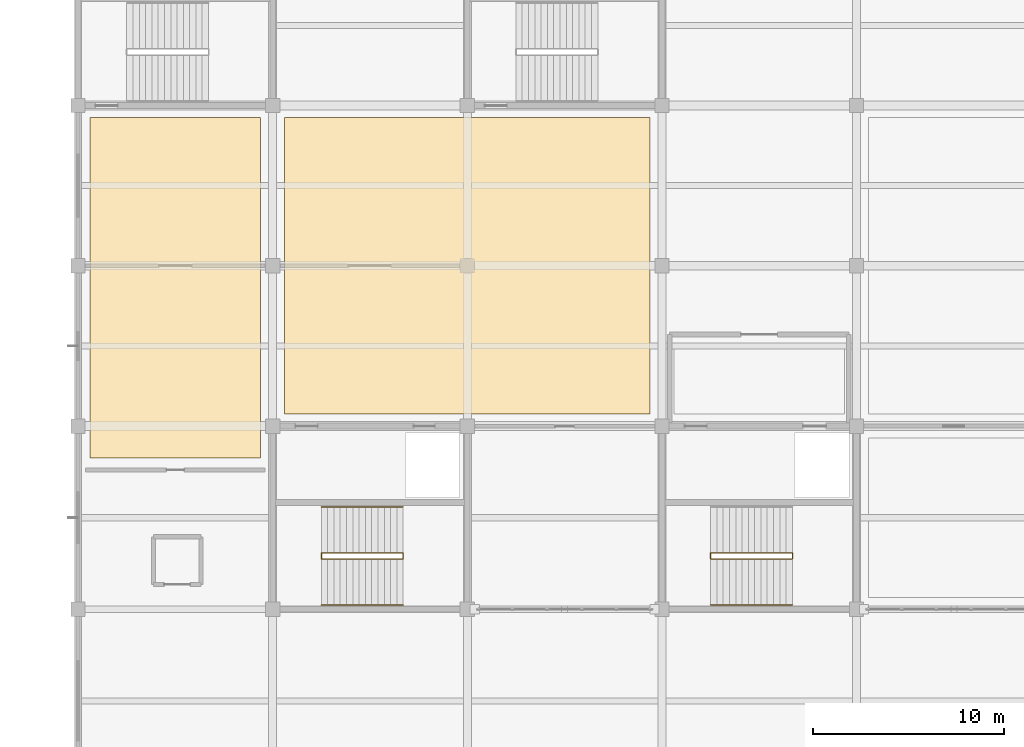
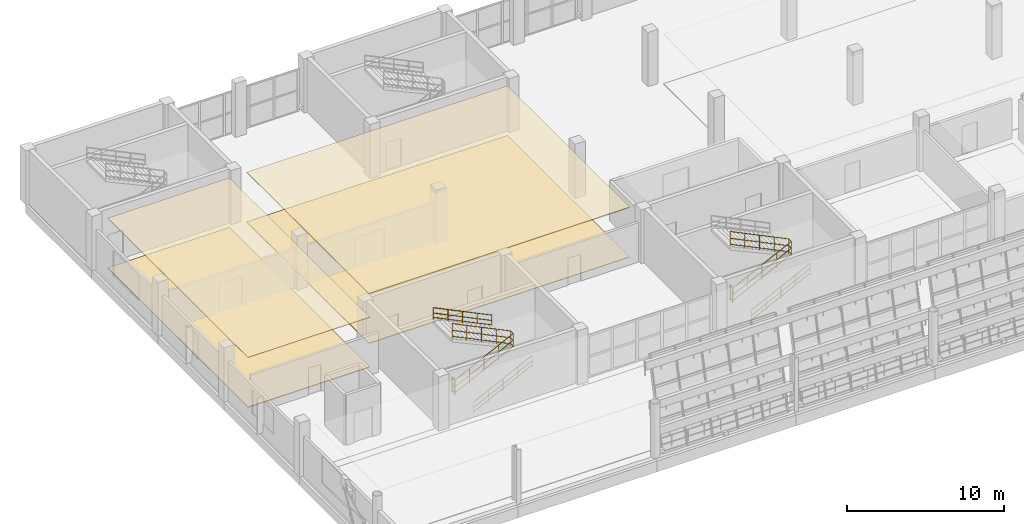
# One storey, part 149 of 157: 7 railings, 4 coverings.
"""IFC4 building model written with IfcOpenShell, lengths in metres."""

from ifc_helpers import new_model, si_unit, direction, frame, origin, origin_2d, place, context, subcontext, project, spatial, polyline, circle, outline, extrude, material, layer, layer_set, type_object, element, save


model = new_model("IFC4")

# Units and contexts
model_context = context("Model", 3, precision=1e-05, world=origin(), true_north=direction((0.0, 1.0)))
body_context = subcontext(model_context, "Body", "Model", "MODEL_VIEW")
ifc_project = project(units=[si_unit("LENGTHUNIT", "METRE"), si_unit("AREAUNIT", "SQUARE_METRE"), si_unit("VOLUMEUNIT", "CUBIC_METRE"), si_unit("PLANEANGLEUNIT", "RADIAN"), si_unit("MASSUNIT", "GRAM", prefix="KILO")], contexts=[model_context])

# Site, building, storey
site_placement = place(None, origin())
site = spatial("IfcSite", under=ifc_project, at=site_placement, CompositionType="ELEMENT")
building_placement = place(site_placement, origin())
building = spatial("IfcBuilding", under=site, at=building_placement, Name="Brelvane Convention Centre", CompositionType="ELEMENT")
storey_placement = place(building_placement, frame((0.0, 0.0, 10.800048828125)))
storey = spatial("IfcBuildingStorey", under=building, at=storey_placement, Name="L02", CompositionType="ELEMENT", Elevation=10.800048828125)

# Coverings
ifc_material_1 = material(Name="Perforated Anodised Aluminium Alloy 6063 Acoustic Baffle", Category="aluminium")
ifc_layer_1 = layer(ifc_material_1, 0.06005859375)
ifc_layer_set_1 = layer_set([ifc_layer_1], Name="Perforated Anodised Aluminium Alloy 6063 Acoustic Baffle")
covering_type_1 = type_object("IfcCoveringType", Name="Interior Finish CL-BAF-60", PredefinedType="CEILING", material=ifc_layer_set_1)
covering_1_placement = place(storey_placement, frame((0.0, 0.0, 3.844970703125)))
element("IfcCovering", 1, at=covering_1_placement, inside=storey, type_object=covering_type_1, Name="Meeting Room 302 Acoustic Ceiling (CL-BAF-60)", PredefinedType="CEILING", context=body_context, shape_type="SweptSolid", body=[
    extrude(outline(polyline([(10.830078125, 119.429931640625), (29.969970703125, 119.429931640625), (29.969970703125, 134.969970703125), (10.830078125, 134.969970703125), (10.830078125, 119.429931640625)])), origin(), (0.0, 0.0, 1.0), 0.06005859375),
])
ifc_material_2 = material(Name="Moisture-Resistant Acoustic Gypsum Ceiling Tile Grade A")
ifc_layer_2 = layer(ifc_material_2, 0.0419921875)
ifc_layer_set_2 = layer_set([ifc_layer_2], Name="Moisture-Resistant Acoustic Gypsum Ceiling Tile Grade A")
covering_type_2 = type_object("IfcCoveringType", Name="Interior Finish CL-GYP-42", PredefinedType="CEILING", material=ifc_layer_set_2)
covering_2_placement = place(storey_placement, frame((0.0, 0.0, 3.863037109375)))
element("IfcCovering", 2, at=covering_2_placement, inside=storey, type_object=covering_type_2, Name="Seminar Room 301 Acoustic Ceiling (CL-GYP-42)", PredefinedType="CEILING", context=body_context, shape_type="SweptSolid", body=[
    extrude(outline(polyline([(0.6298828125, 117.1298828125), (9.570068359375, 117.1298828125), (9.570068359375, 134.969970703125), (0.6298828125, 134.969970703125), (0.6298828125, 117.1298828125)])), origin(), (0.0, 0.0, 1.0), 0.0419921875),
])
ifc_material_3 = material(Name="Polished Basalt-Aggregate Terrazzo Screed Concrete M30", Category="masonry")
ifc_layer_3 = layer(ifc_material_3, 0.054931640625)
ifc_layer_set_3 = layer_set([ifc_layer_3], Name="Polished Basalt-Aggregate Terrazzo Screed Concrete M30")
covering_type_3 = type_object("IfcCoveringType", Name="Interior Finish FL-STN-55", PredefinedType="FLOORING", material=ifc_layer_set_3)
covering_3_placement = place(storey_placement, origin())
element("IfcCovering", 3, at=covering_3_placement, inside=storey, type_object=covering_type_3, Name="Seminar Room 301 Floor Finish (FL-STN-55)", PredefinedType="FLOORING", context=body_context, shape_type="SweptSolid", body=[
    extrude(outline(polyline([(0.6298828125, 117.1298828125), (9.570068359375, 117.1298828125), (9.570068359375, 134.969970703125), (0.6298828125, 134.969970703125), (0.6298828125, 117.1298828125)])), origin(), (0.0, 0.0, 1.0), 0.054931640625),
])
ifc_material_4 = material(Name="Polished Basalt-Aggregate Terrazzo Screed Concrete M30", Category="masonry")
ifc_layer_4 = layer(ifc_material_4, 0.0400390625)
ifc_layer_set_4 = layer_set([ifc_layer_4], Name="Polished Basalt-Aggregate Terrazzo Screed Concrete M30")
covering_type_4 = type_object("IfcCoveringType", Name="Interior Finish FL-TER-40", PredefinedType="FLOORING", material=ifc_layer_set_4)
covering_4_placement = place(storey_placement, origin())
element("IfcCovering", 4, at=covering_4_placement, inside=storey, type_object=covering_type_4, Name="Meeting Room 302 Floor Finish (FL-TER-40)", PredefinedType="FLOORING", context=body_context, shape_type="SweptSolid", body=[
    extrude(outline(polyline([(10.830078125, 119.429931640625), (29.969970703125, 119.429931640625), (29.969970703125, 134.969970703125), (10.830078125, 134.969970703125), (10.830078125, 119.429931640625)])), origin(), (0.0, 0.0, 1.0), 0.0400390625),
])

# Railings
ifc_material_5 = material(Name="Steel E350 (350 MPa)", Category="steel")
railing_type_1 = type_object("IfcRailingType", Name="Stair Railing GR-ST-1", PredefinedType="GUARDRAIL", material=ifc_material_5)
railing_1_placement = place(storey_placement, frame((12.75, 111.840087890625, -0.02001953125)))
element("IfcRailing", 5, at=railing_1_placement, inside=storey, type_object=railing_type_1, Name="Stair ST-06 L02 Inner Well Guard", PredefinedType="GUARDRAIL", context=body_context, shape_type="SweptSolid", body=[
    extrude(circle(Radius=0.02392578125, at=origin_2d()), frame((0.0, 0.0, 1.1259765625), z_axis=(0.896519325311, 0.0, 0.443004626774), x_axis=(0.0, 1.0, 0.0)), (0.0, 0.0, 1.0), 4.78515625),
    extrude(circle(Radius=0.02392578125, at=origin_2d()), frame((0.0, 0.0, 0.597900390625), z_axis=(0.896519325311, 0.0, 0.443004626774), x_axis=(0.0, 1.0, 0.0)), (0.0, 0.0, 1.0), 4.78515625),
    extrude(circle(Radius=0.02392578125, at=origin_2d()), frame((0.0, 0.0, 0.139892578125), z_axis=(0.896519325311, 0.0, 0.443004626774), x_axis=(0.0, 1.0, 0.0)), (0.0, 0.0, 1.0), 4.78515625),
    extrude(circle(Radius=0.02392578125, at=origin_2d()), frame((4.2900390625, 0.0, 3.245849609375), z_axis=(0.0, 1.0, 0.0), x_axis=(-1.0, 0.0, 0.0)), (0.0, 0.0, 1.0), 0.31982421875),
    extrude(circle(Radius=0.02392578125, at=origin_2d()), frame((4.2900390625, 0.0, 2.7177734375), z_axis=(0.0, 1.0, 0.0), x_axis=(-1.0, 0.0, 0.0)), (0.0, 0.0, 1.0), 0.31982421875),
    extrude(circle(Radius=0.02392578125, at=origin_2d()), frame((4.2900390625, 0.0, 2.259765625), z_axis=(0.0, 1.0, 0.0), x_axis=(-1.0, 0.0, 0.0)), (0.0, 0.0, 1.0), 0.31982421875),
    extrude(circle(Radius=0.02392578125, at=origin_2d()), frame((4.2900390625, 0.31982421875, 3.245849609375), z_axis=(-0.89980923391, 0.0, 0.43628355753), x_axis=(0.0, -1.0, 0.0)), (0.0, 0.0, 1.0), 4.767822265625),
    extrude(circle(Radius=0.02392578125, at=origin_2d()), frame((4.2900390625, 0.31982421875, 2.7177734375), z_axis=(-0.89980923391, 0.0, 0.43628355753), x_axis=(0.0, -1.0, 0.0)), (0.0, 0.0, 1.0), 4.767822265625),
    extrude(circle(Radius=0.02392578125, at=origin_2d()), frame((4.2900390625, 0.31982421875, 2.259765625), z_axis=(-0.89980923391, 0.0, 0.43628355753), x_axis=(0.0, -1.0, 0.0)), (0.0, 0.0, 1.0), 4.767822265625),
    extrude(circle(Radius=0.02099609375, at=origin_2d()), origin(), (0.0, 0.0, 1.0), 1.101806640625),
    extrude(circle(Radius=0.02099609375, at=origin_2d()), frame((1.072509765625, 0.0, 0.530029296875)), (0.0, 0.0, 1.0), 1.101806640625),
    extrude(circle(Radius=0.02099609375, at=origin_2d()), frame((2.14501953125, 0.0, 1.06005859375)), (0.0, 0.0, 1.0), 1.101806640625),
    extrude(circle(Radius=0.02099609375, at=origin_2d()), frame((3.217529296875, 0.0, 1.58984375)), (0.0, 0.0, 1.0), 1.101806640625),
    extrude(circle(Radius=0.02099609375, at=origin_2d()), frame((4.2900390625, 0.0, 2.119873046875)), (0.0, 0.0, 1.0), 1.101806640625),
    extrude(circle(Radius=0.02099609375, at=origin_2d()), frame((4.2900390625, 0.31982421875, 2.119873046875)), (0.0, 0.0, 1.0), 1.101806640625),
    extrude(circle(Radius=0.02099609375, at=origin_2d()), frame((3.217529296875, 0.31982421875, 2.639892578125)), (0.0, 0.0, 1.0), 1.101806640625),
    extrude(circle(Radius=0.02099609375, at=origin_2d()), frame((2.14501953125, 0.31982421875, 3.159912109375)), (0.0, 0.0, 1.0), 1.101806640625),
    extrude(circle(Radius=0.02099609375, at=origin_2d()), frame((1.072509765625, 0.31982421875, 3.679931640625)), (0.0, 0.0, 1.0), 1.101806640625),
    extrude(circle(Radius=0.02099609375, at=origin_2d()), frame((0.0, 0.31982421875, 4.199951171875)), (0.0, 0.0, 1.0), 1.101806640625),
])
railing_2_placement = place(storey_placement, frame((33.14990234375, 111.840087890625, -0.02001953125)))
element("IfcRailing", 6, at=railing_2_placement, inside=storey, type_object=railing_type_1, Name="Stair ST-07 L02 Inner Well Guard", PredefinedType="GUARDRAIL", context=body_context, shape_type="SweptSolid", body=[
    extrude(circle(Radius=0.02392578125, at=origin_2d()), frame((0.0, 0.0, 1.1259765625), z_axis=(0.896519325311, 0.0, 0.443004626774), x_axis=(0.0, 1.0, 0.0)), (0.0, 0.0, 1.0), 4.78515625),
    extrude(circle(Radius=0.02392578125, at=origin_2d()), frame((0.0, 0.0, 0.597900390625), z_axis=(0.896519325311, 0.0, 0.443004626774), x_axis=(0.0, 1.0, 0.0)), (0.0, 0.0, 1.0), 4.78515625),
    extrude(circle(Radius=0.02392578125, at=origin_2d()), frame((0.0, 0.0, 0.139892578125), z_axis=(0.896519325311, 0.0, 0.443004626774), x_axis=(0.0, 1.0, 0.0)), (0.0, 0.0, 1.0), 4.78515625),
    extrude(circle(Radius=0.02392578125, at=origin_2d()), frame((4.2900390625, 0.0, 3.245849609375), z_axis=(0.0, 1.0, 0.0), x_axis=(-1.0, 0.0, 0.0)), (0.0, 0.0, 1.0), 0.31982421875),
    extrude(circle(Radius=0.02392578125, at=origin_2d()), frame((4.2900390625, 0.0, 2.7177734375), z_axis=(0.0, 1.0, 0.0), x_axis=(-1.0, 0.0, 0.0)), (0.0, 0.0, 1.0), 0.31982421875),
    extrude(circle(Radius=0.02392578125, at=origin_2d()), frame((4.2900390625, 0.0, 2.259765625), z_axis=(0.0, 1.0, 0.0), x_axis=(-1.0, 0.0, 0.0)), (0.0, 0.0, 1.0), 0.31982421875),
    extrude(circle(Radius=0.02392578125, at=origin_2d()), frame((4.2900390625, 0.31982421875, 3.245849609375), z_axis=(-0.89980923391, 0.0, 0.43628355753), x_axis=(0.0, -1.0, 0.0)), (0.0, 0.0, 1.0), 4.767822265625),
    extrude(circle(Radius=0.02392578125, at=origin_2d()), frame((4.2900390625, 0.31982421875, 2.7177734375), z_axis=(-0.89980923391, 0.0, 0.43628355753), x_axis=(0.0, -1.0, 0.0)), (0.0, 0.0, 1.0), 4.767822265625),
    extrude(circle(Radius=0.02392578125, at=origin_2d()), frame((4.2900390625, 0.31982421875, 2.259765625), z_axis=(-0.89980923391, 0.0, 0.43628355753), x_axis=(0.0, -1.0, 0.0)), (0.0, 0.0, 1.0), 4.767822265625),
    extrude(circle(Radius=0.02099609375, at=origin_2d()), origin(), (0.0, 0.0, 1.0), 1.101806640625),
    extrude(circle(Radius=0.02099609375, at=origin_2d()), frame((1.072509765625, 0.0, 0.530029296875)), (0.0, 0.0, 1.0), 1.101806640625),
    extrude(circle(Radius=0.02099609375, at=origin_2d()), frame((2.14501953125, 0.0, 1.06005859375)), (0.0, 0.0, 1.0), 1.101806640625),
    extrude(circle(Radius=0.02099609375, at=origin_2d()), frame((3.217529296875, 0.0, 1.58984375)), (0.0, 0.0, 1.0), 1.101806640625),
    extrude(circle(Radius=0.02099609375, at=origin_2d()), frame((4.2900390625, 0.0, 2.119873046875)), (0.0, 0.0, 1.0), 1.101806640625),
    extrude(circle(Radius=0.02099609375, at=origin_2d()), frame((4.2900390625, 0.31982421875, 2.119873046875)), (0.0, 0.0, 1.0), 1.101806640625),
    extrude(circle(Radius=0.02099609375, at=origin_2d()), frame((3.217529296875, 0.31982421875, 2.639892578125)), (0.0, 0.0, 1.0), 1.101806640625),
    extrude(circle(Radius=0.02099609375, at=origin_2d()), frame((2.14501953125, 0.31982421875, 3.159912109375)), (0.0, 0.0, 1.0), 1.101806640625),
    extrude(circle(Radius=0.02099609375, at=origin_2d()), frame((1.072509765625, 0.31982421875, 3.679931640625)), (0.0, 0.0, 1.0), 1.101806640625),
    extrude(circle(Radius=0.02099609375, at=origin_2d()), frame((0.0, 0.31982421875, 4.199951171875)), (0.0, 0.0, 1.0), 1.101806640625),
])
ifc_material_6 = material(Name="Steel E350 (350 MPa)", Category="steel")
railing_type_2 = type_object("IfcRailingType", Name="Stair Railing GR-ST-2", PredefinedType="GUARDRAIL", material=ifc_material_6)
for number, where, name in (
    (7, (12.75, 111.840087890625, -0.02001953125), "Stair ST-06 L02 Landing Well Guard"),
    (8, (33.14990234375, 111.840087890625, -0.02001953125), "Stair ST-07 L02 Landing Well Guard"),
):
    element("IfcRailing", number, at=place(storey_placement, frame(where)), inside=storey, type_object=railing_type_2, Name=name, PredefinedType="GUARDRAIL", context=body_context, shape_type="SweptSolid", body=[
        extrude(circle(Radius=0.02392578125, at=origin_2d()), frame((0.0, 0.0, 1.15576171875), z_axis=(0.0, 1.0, 0.0), x_axis=(-1.0, 0.0, 0.0)), (0.0, 0.0, 1.0), 0.31982421875),
        extrude(circle(Radius=0.02392578125, at=origin_2d()), frame((0.0, 0.0, 0.613525390625), z_axis=(0.0, 1.0, 0.0), x_axis=(-1.0, 0.0, 0.0)), (0.0, 0.0, 1.0), 0.31982421875),
        extrude(circle(Radius=0.02392578125, at=origin_2d()), frame((0.0, 0.0, 0.139892578125), z_axis=(0.0, 1.0, 0.0), x_axis=(-1.0, 0.0, 0.0)), (0.0, 0.0, 1.0), 0.31982421875),
        extrude(circle(Radius=0.02099609375, at=origin_2d()), origin(), (0.0, 0.0, 1.0), 1.1318359375),
        extrude(circle(Radius=0.02099609375, at=origin_2d()), frame((0.0, 0.31982421875, 0.0)), (0.0, 0.0, 1.0), 1.1318359375),
    ])
ifc_material_7 = material(Name="Steel E350 (350 MPa)", Category="steel")
railing_type_3 = type_object("IfcRailingType", Name="Stair Railing HR-ST-1", PredefinedType="HANDRAIL", material=ifc_material_7)
railing_3_placement = place(storey_placement, frame((12.75, 109.429931640625, -0.02001953125)))
element("IfcRailing", 9, at=railing_3_placement, inside=storey, type_object=railing_type_3, Name="Stair ST-06 L02 Outer Handrail F1", PredefinedType="HANDRAIL", context=body_context, shape_type="SweptSolid", body=[
    extrude(circle(Radius=0.02392578125, at=origin_2d()), frame((0.0, 0.0, 0.89599609375), z_axis=(0.896519325311, 0.0, 0.443004626774), x_axis=(0.0, 1.0, 0.0)), (0.0, 0.0, 1.0), 4.78515625),
    extrude(circle(Radius=0.02392578125, at=origin_2d()), frame((0.0, 0.0, 0.478271484375), z_axis=(0.896519325311, 0.0, 0.443004626774), x_axis=(0.0, 1.0, 0.0)), (0.0, 0.0, 1.0), 4.78515625),
    extrude(circle(Radius=0.02392578125, at=origin_2d()), frame((0.0, 0.0, 0.139892578125), z_axis=(0.896519325311, 0.0, 0.443004626774), x_axis=(0.0, 1.0, 0.0)), (0.0, 0.0, 1.0), 4.78515625),
    extrude(circle(Radius=0.02099609375, at=origin_2d()), origin(), (0.0, 0.0, 1.0), 0.871826171875),
    extrude(circle(Radius=0.02099609375, at=origin_2d()), frame((1.072509765625, 0.0, 0.530029296875)), (0.0, 0.0, 1.0), 0.871826171875),
    extrude(circle(Radius=0.02099609375, at=origin_2d()), frame((2.14501953125, 0.0, 1.06005859375)), (0.0, 0.0, 1.0), 0.871826171875),
    extrude(circle(Radius=0.02099609375, at=origin_2d()), frame((3.217529296875, 0.0, 1.58984375)), (0.0, 0.0, 1.0), 0.871826171875),
    extrude(circle(Radius=0.02099609375, at=origin_2d()), frame((4.2900390625, 0.0, 2.119873046875)), (0.0, 0.0, 1.0), 0.871826171875),
])
railing_4_placement = place(storey_placement, frame((17.0400390625, 114.570068359375, 2.099853515625)))
element("IfcRailing", 10, at=railing_4_placement, inside=storey, type_object=railing_type_3, Name="Stair ST-06 L02 Outer Handrail F2", PredefinedType="HANDRAIL", context=body_context, shape_type="SweptSolid", body=[
    extrude(circle(Radius=0.02392578125, at=origin_2d()), frame((0.0, 0.0, 0.89599609375), z_axis=(-0.89980923391, 0.0, 0.43628355753), x_axis=(0.0, -1.0, 0.0)), (0.0, 0.0, 1.0), 4.767822265625),
    extrude(circle(Radius=0.02392578125, at=origin_2d()), frame((0.0, 0.0, 0.478271484375), z_axis=(-0.89980923391, 0.0, 0.43628355753), x_axis=(0.0, -1.0, 0.0)), (0.0, 0.0, 1.0), 4.767822265625),
    extrude(circle(Radius=0.02392578125, at=origin_2d()), frame((0.0, 0.0, 0.139892578125), z_axis=(-0.89980923391, 0.0, 0.43628355753), x_axis=(0.0, -1.0, 0.0)), (0.0, 0.0, 1.0), 4.767822265625),
    extrude(circle(Radius=0.02099609375, at=origin_2d()), origin(), (0.0, 0.0, 1.0), 0.871826171875),
    extrude(circle(Radius=0.02099609375, at=origin_2d()), frame((-1.072509765625, 0.0, 0.52001953125)), (0.0, 0.0, 1.0), 0.871826171875),
    extrude(circle(Radius=0.02099609375, at=origin_2d()), frame((-2.14501953125, 0.0, 1.0400390625)), (0.0, 0.0, 1.0), 0.871826171875),
    extrude(circle(Radius=0.02099609375, at=origin_2d()), frame((-3.217529296875, 0.0, 1.56005859375)), (0.0, 0.0, 1.0), 0.871826171875),
    extrude(circle(Radius=0.02099609375, at=origin_2d()), frame((-4.2900390625, 0.0, 2.080078125)), (0.0, 0.0, 1.0), 0.871826171875),
])
railing_5_placement = place(storey_placement, frame((33.14990234375, 109.429931640625, -0.02001953125)))
element("IfcRailing", 11, at=railing_5_placement, inside=storey, type_object=railing_type_3, Name="Stair ST-07 L02 Outer Handrail F1", PredefinedType="HANDRAIL", context=body_context, shape_type="SweptSolid", body=[
    extrude(circle(Radius=0.02392578125, at=origin_2d()), frame((0.0, 0.0, 0.89599609375), z_axis=(0.896519325311, 0.0, 0.443004626774), x_axis=(0.0, 1.0, 0.0)), (0.0, 0.0, 1.0), 4.78515625),
    extrude(circle(Radius=0.02392578125, at=origin_2d()), frame((0.0, 0.0, 0.478271484375), z_axis=(0.896519325311, 0.0, 0.443004626774), x_axis=(0.0, 1.0, 0.0)), (0.0, 0.0, 1.0), 4.78515625),
    extrude(circle(Radius=0.02392578125, at=origin_2d()), frame((0.0, 0.0, 0.139892578125), z_axis=(0.896519325311, 0.0, 0.443004626774), x_axis=(0.0, 1.0, 0.0)), (0.0, 0.0, 1.0), 4.78515625),
    extrude(circle(Radius=0.02099609375, at=origin_2d()), origin(), (0.0, 0.0, 1.0), 0.871826171875),
    extrude(circle(Radius=0.02099609375, at=origin_2d()), frame((1.072509765625, 0.0, 0.530029296875)), (0.0, 0.0, 1.0), 0.871826171875),
    extrude(circle(Radius=0.02099609375, at=origin_2d()), frame((2.14501953125, 0.0, 1.06005859375)), (0.0, 0.0, 1.0), 0.871826171875),
    extrude(circle(Radius=0.02099609375, at=origin_2d()), frame((3.217529296875, 0.0, 1.58984375)), (0.0, 0.0, 1.0), 0.871826171875),
    extrude(circle(Radius=0.02099609375, at=origin_2d()), frame((4.2900390625, 0.0, 2.119873046875)), (0.0, 0.0, 1.0), 0.871826171875),
])

save(model, "model.ifc")
